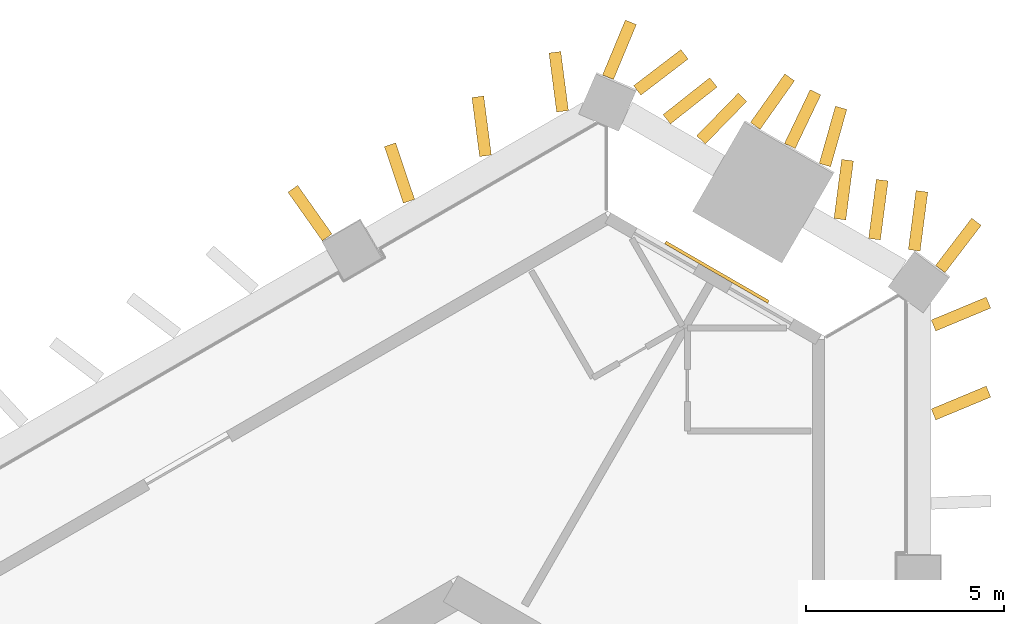
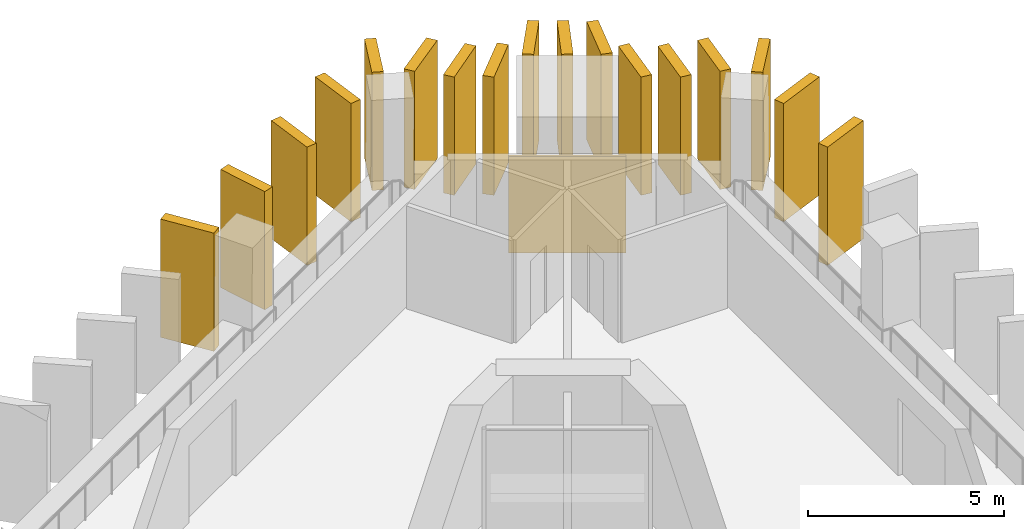
# One storey, part 10 of 10: 17 shading devices, 1 covering.
"""IFC4 building model written with IfcOpenShell, lengths in metres."""

from ifc_helpers import new_model, si_unit, direction, frame, frame_2d, origin, origin_2d, place, context, subcontext, project, spatial, rectangle, extrude, material, layer, layer_set, type_object, element, save


model = new_model("IFC4")

# Units and contexts
model_context = context("Model", 3, precision=1e-05, world=origin(), true_north=direction((0.0, 1.0)))
body_context = subcontext(model_context, "Body", "Model", "MODEL_VIEW")
ifc_project = project(units=[si_unit("LENGTHUNIT", "METRE"), si_unit("AREAUNIT", "SQUARE_METRE"), si_unit("VOLUMEUNIT", "CUBIC_METRE"), si_unit("PLANEANGLEUNIT", "RADIAN"), si_unit("MASSUNIT", "GRAM", prefix="KILO")], contexts=[model_context])

# Site, building, storey
site_placement = place(None, origin())
site = spatial("IfcSite", under=ifc_project, at=site_placement, CompositionType="ELEMENT")
building_placement = place(site_placement, origin())
building = spatial("IfcBuilding", under=site, at=building_placement, Name="Jabali Bay Hotel Tower and Convention Centre", CompositionType="ELEMENT")
storey_placement = place(building_placement, frame((0.0, 0.0, 64.699951171875)))
storey = spatial("IfcBuildingStorey", under=building, at=storey_placement, Name="L14", CompositionType="ELEMENT", Elevation=64.699951171875)

# Shading devices
ifc_material_1 = material(Name="Precast concrete C60", Category="concrete")
ifc_layer_1 = layer(ifc_material_1, 0.300048828125)
ifc_layer_set_1 = layer_set([ifc_layer_1], Name="Precast concrete C60")
shading_device_type = type_object("IfcShadingDeviceType", Name="Precast fin 3680 x 1500", PredefinedType="USERDEFINED", material=ifc_layer_set_1)
for number, where, z_axis, x_axis, name in (
    (1, (98.699462890625, 108.015625, 0.010009765625), (0.0, 0.0, 1.0), (0.923293458566, 0.384095286835, 0.0), "Fin L14 026"),
    (2, (98.699462890625, 110.2568359375, 0.010009765625), (0.0, 0.0, 1.0), (0.923153948977, 0.38443047029, 0.0), "Fin L14 027"),
    (3, (98.2138671875, 112.149658203125, 0.010009765625), (0.0, 0.0, 1.0), (0.128580707026, 0.991699047988, 0.0), "Fin L14 028"),
    (4, (97.21337890625, 112.43115234375, 0.010009765625), (0.0, 0.0, 1.0), (0.128580707026, 0.991699047988, 0.0), "Fin L14 029"),
    (5, (96.341064453125, 112.934814453125, 0.010009765625), (0.0, 0.0, 1.0), (0.128580707026, 0.991699047988, 0.0), "Fin L14 030"),
    (6, (95.964599609375, 114.297119140625, 0.010009765625), (0.0, 0.0, 1.0), (0.271645717778, 0.962397321283, 0.0), "Fin L14 031"),
):
    element("IfcShadingDevice", number, at=place(storey_placement, frame(where, z_axis=z_axis, x_axis=x_axis)), inside=storey, type_object=shading_device_type, Name=name, ObjectType="FIN", PredefinedType="USERDEFINED", context=body_context, shape_type="SweptSolid", body=[
        extrude(rectangle(XDim=1.5, YDim=0.300048828125, at=frame_2d((0.75, 0.0))), origin(), (0.0, 0.0, 1.0), 3.679931640625),
    ])
shading_device_1_placement = place(storey_placement, frame((95.07958984375, 114.779052734375, 0.010009765625), z_axis=(0.0, 0.0, 1.0), x_axis=(0.43151885362, 0.902103918055, 0.0)))
element("IfcShadingDevice", 7, at=shading_device_1_placement, inside=storey, type_object=shading_device_type, Name="Fin L14 032", ObjectType="FIN", PredefinedType="USERDEFINED", context=body_context, shape_type="SweptSolid", body=[
    extrude(rectangle(XDim=1.499755859375, YDim=0.300048828125, at=frame_2d((0.75, 0.0))), origin(), (0.0, 0.0, 1.0), 3.679931640625),
])
for number, where, z_axis, x_axis, name in (
    (8, (94.20849609375, 115.28466796875, 0.010009765625), (0.0, 0.0, 1.0), (0.578324400229, 0.815806893878, 0.0), "Fin L14 033"),
    (9, (92.841552734375, 114.931396484375, 0.010009765625), (0.0, 0.0, 1.0), (0.697768379802, 0.716323452183, 0.0), "Fin L14 034"),
):
    element("IfcShadingDevice", number, at=place(storey_placement, frame(where, z_axis=z_axis, x_axis=x_axis)), inside=storey, type_object=shading_device_type, Name=name, ObjectType="FIN", PredefinedType="USERDEFINED", context=body_context, shape_type="SweptSolid", body=[
        extrude(rectangle(XDim=1.5, YDim=0.300048828125, at=frame_2d((0.75, 0.0))), origin(), (0.0, 0.0, 1.0), 3.679931640625),
    ])
shading_device_2_placement = place(storey_placement, frame((91.978515625, 115.450927734375, 0.010009765625), z_axis=(0.0, 0.0, 1.0), x_axis=(0.784082130224, 0.620657081699, 0.0)))
element("IfcShadingDevice", 10, at=shading_device_2_placement, inside=storey, type_object=shading_device_type, Name="Fin L14 035", ObjectType="FIN", PredefinedType="USERDEFINED", context=body_context, shape_type="SweptSolid", body=[
    extrude(rectangle(XDim=1.499755859375, YDim=0.300048828125, at=frame_2d((0.75, 0.0))), origin(), (0.0, 0.0, 1.0), 3.679931640625),
])
for number, where, z_axis, x_axis, name in (
    (11, (91.235595703125, 116.178466796875, 0.010009765625), (0.0, 0.0, 1.0), (0.794537958448, 0.607214486475, 0.0), "Fin L14 036"),
    (12, (89.353515625, 115.65283203125, 0.010009765625), (0.0, 0.0, 1.0), (-0.128580707026, 0.991699047988, 0.0), "Fin L14 037"),
    (13, (87.41259765625, 114.5322265625, 0.010009765625), (0.0, 0.0, 1.0), (-0.128580707026, 0.991699047988, 0.0), "Fin L14 038"),
    (14, (85.485595703125, 113.387451171875, 0.010009765625), (0.0, 0.0, 1.0), (-0.318375501351, 0.94796468296, 0.0), "Fin L14 039"),
    (15, (83.424072265625, 112.4755859375, 0.010009765625), (0.0, 0.0, 1.0), (-0.577290078719, 0.81653913869, 0.0), "Fin L14 040"),
    (16, (98.86962890625, 111.677978515625, 0.010009765625), (0.0, 0.0, 1.0), (0.607395736558, 0.794399407862, 0.0), "Fin L14 112"),
    (17, (90.4990234375, 116.5107421875, 0.010009765625), (0.0, 0.0, 1.0), (0.38443047029, 0.923153948977, 0.0), "Fin L14 113"),
):
    element("IfcShadingDevice", number, at=place(storey_placement, frame(where, z_axis=z_axis, x_axis=x_axis)), inside=storey, type_object=shading_device_type, Name=name, ObjectType="FIN", PredefinedType="USERDEFINED", context=body_context, shape_type="SweptSolid", body=[
        extrude(rectangle(XDim=1.5, YDim=0.300048828125, at=frame_2d((0.75, 0.0))), origin(), (0.0, 0.0, 1.0), 3.679931640625),
    ])

# Covering
ifc_material_2 = material(Name="Precast concrete C40/50", Category="concrete")
ifc_layer_2 = layer(ifc_material_2, 0.080078125)
ifc_layer_set_2 = layer_set([ifc_layer_2], Name="Precast concrete C40/50")
covering_type = type_object("IfcCoveringType", Name="Relief panel 3000 x 3000", PredefinedType="CLADDING", material=ifc_layer_set_2)
covering_placement = place(storey_placement, frame((93.244140625, 111.599853515625, 0.10009765625), z_axis=(0.0, 0.0, 1.0), x_axis=(0.866025442827, -0.499999932376, 0.0)))
element("IfcCovering", 18, at=covering_placement, inside=storey, type_object=covering_type, Name="Relief panel L14", PredefinedType="CLADDING", context=body_context, shape_type="SweptSolid", body=[
    extrude(rectangle(XDim=3.0, YDim=0.080078125, at=origin_2d()), origin(), (0.0, 0.0, 1.0), 3.0),
])

save(model, "model.ifc")
